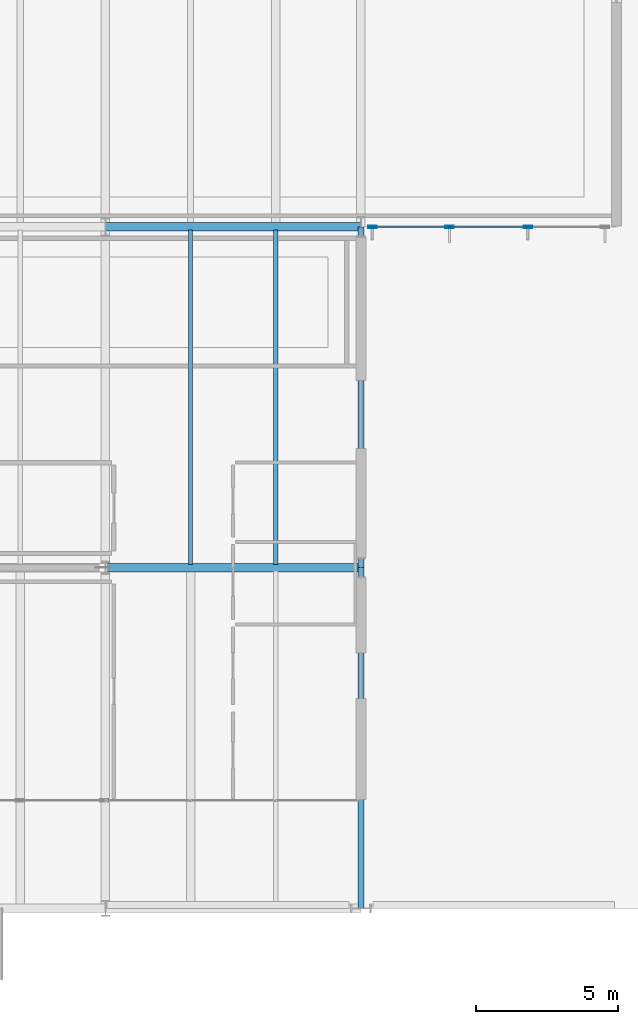
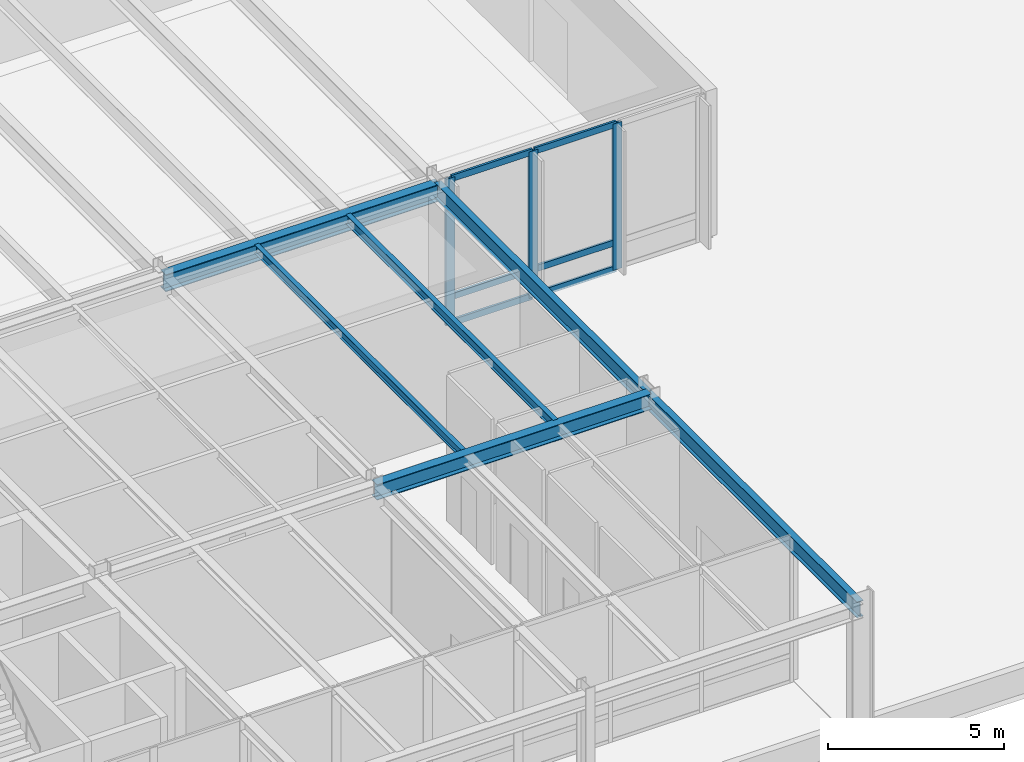
# One storey, part 94 of 143: 9 members, 6 beams, 1 element without a shape of its own.
"""IFC4 building model written with IfcOpenShell, lengths in metres."""

import ifcopenshell
import ifcopenshell.guid

model = None  # the IFC model being written
_history = None  # IfcOwnerHistory: only IFC2X3 demands one
_inside = {}  # id of a spatial element -> (the spatial element, [elements in it])
_under = {}  # id of a project, library or spatial element -> (it, [spatial elements below it])
_declared = {}  # id of a project -> (the project, [libraries it declares])
_typed = {}  # id of a type object -> (the type object, [elements of that type])
_made_of = {}  # id of a material, layer set ... -> (it, [elements and type objects made of it])


def new_model(schema):
    """Start an empty IFC model of exactly this schema.

    Asked for "IFC4X3", IfcOpenShell would pick the latest addendum, in which some entities
    have other attributes; the version numbers below select the first issue.
    IFC2X3 requires an IfcOwnerHistory on every rooted entity: one is made here for all.
    """
    global model, _history
    if schema == "IFC4X3":
        model = ifcopenshell.file(schema_version=(4, 3, 0, 0))
    else:
        model = ifcopenshell.file(schema=schema)
    _inside.clear()
    _under.clear()
    _declared.clear()
    _typed.clear()
    _made_of.clear()
    _history = None
    if model.schema == "IFC2X3":
        org = make("IfcOrganization", Name="unknown")
        user = make(
            "IfcPersonAndOrganization",
            ThePerson=make("IfcPerson", FamilyName="unknown"),
            TheOrganization=org,
        )
        app = make(
            "IfcApplication",
            ApplicationDeveloper=org,
            Version="unknown",
            ApplicationFullName="unknown",
            ApplicationIdentifier="unknown",
        )
        _history = make(
            "IfcOwnerHistory",
            OwningUser=user,
            OwningApplication=app,
            ChangeAction="ADDED",
            CreationDate=0,
        )
    return model


def make(cls, **values):
    """One entity of the class cls with the attributes given. An attribute that is None is left unset."""
    return model.create_entity(
        cls, **{name: value for name, value in values.items() if value is not None}
    )


def rooted(cls, **values):
    """An entity with a GlobalId (a new one), such as an element, a storey or a relation."""
    return make(cls, GlobalId=ifcopenshell.guid.new(), OwnerHistory=_history, **values)


def si_unit(unit_type, name, prefix=None):
    """IfcSIUnit, for example si_unit("LENGTHUNIT", "METRE", prefix="MILLI")."""
    return make("IfcSIUnit", UnitType=unit_type, Prefix=prefix, Name=name)


def assignment(units):
    """IfcUnitAssignment: the units of a project."""
    return None if units is None else make("IfcUnitAssignment", Units=units)


def point(xyz):
    """IfcCartesianPoint."""
    return None if xyz is None else make("IfcCartesianPoint", Coordinates=xyz)


def direction(xyz):
    """IfcDirection."""
    return None if xyz is None else make("IfcDirection", DirectionRatios=xyz)


def frame(location, z_axis=None, x_axis=None):
    """IfcAxis2Placement3D, a coordinate frame: its origin and axes. An axis left out is left unset."""
    return make(
        "IfcAxis2Placement3D",
        Location=point(location),
        Axis=direction(z_axis),
        RefDirection=direction(x_axis),
    )


def frame_2d(location, x_axis=None):
    """IfcAxis2Placement2D, a coordinate frame in the plane: its origin and x axis."""
    return make(
        "IfcAxis2Placement2D", Location=point(location), RefDirection=direction(x_axis)
    )


def origin():
    """The frame at (0, 0, 0) with its axes left unset."""
    return frame((0.0, 0.0, 0.0))


def origin_2d():
    """The frame at (0, 0) in the plane with its x axis left unset."""
    return frame_2d((0.0, 0.0))


def place(relative_to, where):
    """IfcLocalPlacement: puts the frame where relative to a parent placement (None: the world)."""
    return make(
        "IfcLocalPlacement", PlacementRelTo=relative_to, RelativePlacement=where
    )


def context(
    kind, dimensions, precision=None, world=None, true_north=None, identifier=None
):
    """IfcGeometricRepresentationContext, for example the 3D "Model" context."""
    return make(
        "IfcGeometricRepresentationContext",
        ContextIdentifier=identifier,
        ContextType=kind,
        CoordinateSpaceDimension=dimensions,
        Precision=precision,
        WorldCoordinateSystem=world,
        TrueNorth=true_north,
    )


def subcontext(parent, identifier, kind, view, scale=None):
    """IfcGeometricRepresentationSubContext, for example "Body" below "Model"."""
    return make(
        "IfcGeometricRepresentationSubContext",
        ContextIdentifier=identifier,
        ContextType=kind,
        ParentContext=parent,
        TargetScale=scale,
        TargetView=view,
    )


def project(units=None, contexts=None):
    """IfcProject with its units and contexts."""
    return rooted(
        "IfcProject",
        Name="project",
        RepresentationContexts=contexts,
        UnitsInContext=assignment(units),
    )


def spatial(cls, under=None, at=None, **own):
    """A site, building, storey or space (cls), placed at a placement, below another one or the project."""
    s = rooted(cls, ObjectPlacement=at, **own)
    if under is not None:
        _under.setdefault(under.id(), (under, []))[1].append(s)
    return s


def profile(cls, at=None, kind="AREA", **sizes):
    """A parametric profile (cls). Its sizes go by their IFC names, for example OverallWidth=200.0."""
    return make(cls, ProfileType=kind, Position=at, **sizes)


def hollow_rectangle(**sizes):
    """IfcRectangleHollowProfileDef."""
    return profile("IfcRectangleHollowProfileDef", **sizes)


def i_section(**sizes):
    """IfcIShapeProfileDef."""
    return profile("IfcIShapeProfileDef", **sizes)


def extrude(swept, where, along, depth):
    """IfcExtrudedAreaSolid: the profile swept, set in the frame where, extruded along a direction by depth."""
    return make(
        "IfcExtrudedAreaSolid",
        SweptArea=swept,
        Position=where,
        ExtrudedDirection=direction(along),
        Depth=depth,
    )


def shape(context_of_items, identifier, shape_type, items):
    """IfcShapeRepresentation: the items that make up one representation, for example the "Body"."""
    return make(
        "IfcShapeRepresentation",
        ContextOfItems=context_of_items,
        RepresentationIdentifier=identifier,
        RepresentationType=shape_type,
        Items=items,
    )


def material(Name=None, Category=None):
    """IfcMaterial."""
    return make("IfcMaterial", Name=Name, Category=Category)


def layer(
    of_material, thickness, ventilated=None, Name=None, Category=None, Priority=None
):
    """IfcMaterialLayer: one layer of a wall or slab, of a material (None: an air gap)."""
    return make(
        "IfcMaterialLayer",
        Material=of_material,
        LayerThickness=thickness,
        IsVentilated=ventilated,
        Name=Name,
        Category=Category,
        Priority=Priority,
    )


def layer_set(layers, Name=None):
    """IfcMaterialLayerSet."""
    return make("IfcMaterialLayerSet", MaterialLayers=layers, LayerSetName=Name)


def material_profile(
    of_material, cross_section, Name=None, Category=None, Priority=None
):
    """IfcMaterialProfile: a cross section and its material."""
    return make(
        "IfcMaterialProfile",
        Name=Name,
        Material=of_material,
        Profile=cross_section,
        Priority=Priority,
        Category=Category,
    )


def profile_set(profiles, Name=None, composite=None):
    """IfcMaterialProfileSet."""
    return make(
        "IfcMaterialProfileSet",
        Name=Name,
        MaterialProfiles=profiles,
        CompositeProfile=composite,
    )


def made_of(thing, what):
    """Note that an element or type object is made of a material, layer set ...; save() writes the relation."""
    if what is not None:
        _made_of.setdefault(what.id(), (what, []))[1].append(thing)
    return thing


def type_object(cls, material=None, **own):
    """A type object (cls), such as IfcWallType, which elements share."""
    return made_of(rooted(cls, **own), material)


def element(
    cls,
    number,
    at=None,
    inside=None,
    cuts=None,
    type_object=None,
    material=None,
    context=None,
    identifier="Body",
    shape_type=None,
    held_by="IfcProductDefinitionShape",
    body=None,
    shapes=None,
    **own,
):
    """One element of the class cls, such as IfcWall. Its Tag is "e" and its number.

    at: its placement. inside: the storey or other place that contains it. cuts: it is an
    opening in that element (IfcRelVoidsElement). A single representation is given by context,
    identifier, shape_type and body (its items); several are given by shapes. held_by: the class
    of the entity that holds the representations. save() writes the other relations.
    """
    e = rooted(cls, Tag="e%d" % number, ObjectPlacement=at, **own)
    if body is not None:
        shapes = [shape(context, identifier, shape_type, body)]
    if shapes is not None:
        e.Representation = make(held_by, Representations=shapes)
    if inside is not None:
        _inside.setdefault(inside.id(), (inside, []))[1].append(e)
    if cuts is not None:
        rooted(
            "IfcRelVoidsElement", RelatingBuildingElement=cuts, RelatedOpeningElement=e
        )
    if type_object is not None:
        _typed.setdefault(type_object.id(), (type_object, []))[1].append(e)
    return made_of(e, material)


def aggregate(whole, parts):
    """IfcRelAggregates: a whole, such as a stair, and the parts it consists of."""
    return rooted("IfcRelAggregates", RelatingObject=whole, RelatedObjects=parts)


def save(model, path):
    """Write the relations noted so far, then the file.

    IfcRelAggregates (storeys below a building ...), IfcRelContainedInSpatialStructure (elements
    in a storey), IfcRelDefinesByType, IfcRelAssociatesMaterial and IfcRelDeclares: one each for
    every whole, place, type object, material and project.
    """
    for whole, parts in _under.values():
        aggregate(whole, parts)
    for where, things in _inside.values():
        rooted(
            "IfcRelContainedInSpatialStructure",
            RelatedElements=things,
            RelatingStructure=where,
        )
    for kind, things in _typed.values():
        rooted("IfcRelDefinesByType", RelatedObjects=things, RelatingType=kind)
    for what, things in _made_of.values():
        rooted("IfcRelAssociatesMaterial", RelatedObjects=things, RelatingMaterial=what)
    for by, libraries in _declared.values():
        rooted("IfcRelDeclares", RelatingContext=by, RelatedDefinitions=libraries)
    model.write(path)


model = new_model("IFC4")

# Units and contexts
model_context = context("Model", 3, precision=1e-05, world=origin(), true_north=direction((0.0, 1.0)))
body_context = subcontext(model_context, "Body", "Model", "MODEL_VIEW")
ifc_project = project(units=[si_unit("LENGTHUNIT", "METRE"), si_unit("AREAUNIT", "SQUARE_METRE"), si_unit("VOLUMEUNIT", "CUBIC_METRE"), si_unit("PLANEANGLEUNIT", "RADIAN"), si_unit("MASSUNIT", "GRAM", prefix="KILO")], contexts=[model_context])

# Site, building, storey
site_placement = place(None, origin())
site = spatial("IfcSite", under=ifc_project, at=site_placement, CompositionType="ELEMENT")
building_placement = place(site_placement, origin())
building = spatial("IfcBuilding", under=site, at=building_placement, Name="Montelvaro Courts of Justice", CompositionType="ELEMENT")
storey_placement = place(building_placement, origin())
storey = spatial("IfcBuildingStorey", under=building, at=storey_placement, Name="L00", CompositionType="ELEMENT", Elevation=0.0)

# Beams
ifc_material_1 = material(Name="Steel S355", Category="steel")
ifc_material_profile_1 = material_profile(ifc_material_1, i_section(OverallWidth=0.300048828125, OverallDepth=0.5400390625, WebThickness=0.012451171875, FlangeThickness=0.02392578125, at=origin_2d()), Name="HEA 550")
ifc_profile_set_1 = profile_set([ifc_material_profile_1], Name="Steel S355")
beam_type_1 = type_object("IfcBeamType", Name="Beam_HEA550", PredefinedType="USERDEFINED", material=ifc_profile_set_1)
beam_1_placement = place(storey_placement, frame((126.0, 12.0, 4.81005859375), z_axis=(1.0, 0.0, 0.0), x_axis=(0.0, 1.0, 0.0)))
element("IfcBeam", 1, at=beam_1_placement, inside=storey, type_object=beam_type_1, Name="Beam B-20 L00", ObjectType="GIRDER", PredefinedType="USERDEFINED", context=body_context, shape_type="SweptSolid", body=[
    extrude(i_section(OverallWidth=0.300048828125, OverallDepth=0.5400390625, WebThickness=0.012451171875, FlangeThickness=0.02392578125, at=origin_2d()), origin(), (0.0, 0.0, 1.0), 9.0),
])
ifc_material_profile_2 = material_profile(ifc_material_1, i_section(OverallWidth=0.300048828125, OverallDepth=0.590087890625, WebThickness=0.012939453125, FlangeThickness=0.02490234375, at=origin_2d()), Name="HEA 600")
ifc_profile_set_2 = profile_set([ifc_material_profile_2], Name="Steel S355")
beam_type_2 = type_object("IfcBeamType", Name="Beam_HEA600", PredefinedType="USERDEFINED", material=ifc_profile_set_2)
beam_2_placement = place(storey_placement, frame((126.0, 24.0, 4.784912109375), z_axis=(1.0, 0.0, 0.0), x_axis=(0.0, 1.0, 0.0)))
element("IfcBeam", 2, at=beam_2_placement, inside=storey, type_object=beam_type_2, Name="Beam B-21 L00", ObjectType="GIRDER", PredefinedType="USERDEFINED", context=body_context, shape_type="SweptSolid", body=[
    extrude(i_section(OverallWidth=0.300048828125, OverallDepth=0.590087890625, WebThickness=0.012939453125, FlangeThickness=0.02490234375, at=origin_2d()), origin(), (0.0, 0.0, 1.0), 9.0),
])
ifc_material_profile_3 = material_profile(ifc_material_1, i_section(OverallWidth=0.14990234375, OverallDepth=0.300048828125, WebThickness=0.007080078125, FlangeThickness=0.0107421875, at=origin_2d()), Name="IPE 300")
ifc_profile_set_3 = profile_set([ifc_material_profile_3], Name="Steel S355")
beam_type_3 = type_object("IfcBeamType", Name="Beam_IPE300", PredefinedType="BEAM", material=ifc_profile_set_3)
beam_3_placement = place(storey_placement, frame((129.0, 12.110107421875, 4.929931640625), z_axis=(0.0, 1.0, 0.0), x_axis=(-1.0, 0.0, 0.0)))
element("IfcBeam", 3, at=beam_3_placement, inside=storey, type_object=beam_type_3, Name="Beam B-05 L00", PredefinedType="BEAM", context=body_context, shape_type="SweptSolid", body=[
    extrude(i_section(OverallWidth=0.14990234375, OverallDepth=0.300048828125, WebThickness=0.007080078125, FlangeThickness=0.0107421875, at=origin_2d()), origin(), (0.0, 0.0, 1.0), 11.77978515625),
])
ifc_material_profile_4 = material_profile(ifc_material_1, i_section(OverallWidth=0.159912109375, OverallDepth=0.330078125, WebThickness=0.007568359375, FlangeThickness=0.011474609375, at=origin_2d()), Name="IPE 330")
ifc_profile_set_4 = profile_set([ifc_material_profile_4], Name="Steel S355")
beam_type_4 = type_object("IfcBeamType", Name="Beam_IPE330", PredefinedType="BEAM", material=ifc_profile_set_4)
beam_4_placement = place(storey_placement, frame((132.0, 12.110107421875, 4.9150390625), z_axis=(0.0, 1.0, 0.0), x_axis=(-1.0, 0.0, 0.0)))
element("IfcBeam", 4, at=beam_4_placement, inside=storey, type_object=beam_type_4, Name="Beam B-06 L00", PredefinedType="BEAM", context=body_context, shape_type="SweptSolid", body=[
    extrude(i_section(OverallWidth=0.159912109375, OverallDepth=0.330078125, WebThickness=0.007568359375, FlangeThickness=0.011474609375, at=origin_2d()), origin(), (0.0, 0.0, 1.0), 11.77978515625),
])
ifc_material_profile_5 = material_profile(ifc_material_1, i_section(OverallWidth=0.2099609375, OverallDepth=0.550048828125, WebThickness=0.010986328125, FlangeThickness=0.01708984375, at=origin_2d()), Name="IPE 550")
ifc_profile_set_5 = profile_set([ifc_material_profile_5], Name="Steel S355")
beam_type_5 = type_object("IfcBeamType", Name="Beam_IPE550", PredefinedType="BEAM", material=ifc_profile_set_5)
for number, where, z_axis, x_axis, name in (
    (5, (135.0, 0.0, 4.804931640625), (0.0, 1.0, 0.0), (-1.0, 0.0, 0.0), "Beam B-11 L00"),
    (6, (135.0, 12.0, 4.804931640625), (0.0, 1.0, 0.0), (-1.0, 0.0, 0.0), "Beam B-11 L00"),
):
    element("IfcBeam", number, at=place(storey_placement, frame(where, z_axis=z_axis, x_axis=x_axis)), inside=storey, type_object=beam_type_5, Name=name, PredefinedType="BEAM", context=body_context, shape_type="SweptSolid", body=[
        extrude(i_section(OverallWidth=0.2099609375, OverallDepth=0.550048828125, WebThickness=0.010986328125, FlangeThickness=0.01708984375, at=origin_2d()), origin(), (0.0, 0.0, 1.0), 12.0),
    ])

# Curtain wall, members
ifc_material_2 = material(Name="Anodised aluminium EN AW-6063", Category="aluminium")
ifc_layer = layer(ifc_material_2, 0.159912109375)
ifc_layer_set = layer_set([ifc_layer], Name="Anodised aluminium EN AW-6063")
curtain_wall_type = type_object("IfcCurtainWallType", Name="CurtainWall_01_827x508", PredefinedType="USERDEFINED", material=ifc_layer_set)
curtain_wall_placement = place(storey_placement, origin())
curtain_wall = element("IfcCurtainWall", 7, at=curtain_wall_placement, inside=storey, type_object=curtain_wall_type, Name="Curtain Wall CW-01 (L00)", ObjectType="CURTAIN WALL", PredefinedType="USERDEFINED")
ifc_material_profile_6 = material_profile(ifc_material_2, hollow_rectangle(XDim=0.074951171875, YDim=0.300048828125, WallThickness=0.006103515625, at=origin_2d()), Name="ALU-M 75x300")
ifc_profile_set_6 = profile_set([ifc_material_profile_6], Name="Anodised aluminium EN AW-6063")
member_type_1 = type_object("IfcMemberType", Name="CurtainWall_Mullion_75x300", PredefinedType="MULLION", material=ifc_profile_set_6)
member_1_placement = place(storey_placement, frame((135.402587890625, 24.0, 0.0), z_axis=(0.0, 0.0, 1.0), x_axis=(0.0, 1.0, 0.0)))
member_1 = element("IfcMember", 8, at=member_1_placement, type_object=member_type_1, Name="CW-01 mullion 1", PredefinedType="MULLION", context=body_context, shape_type="SweptSolid", body=[
    extrude(hollow_rectangle(XDim=0.074951171875, YDim=0.300048828125, WallThickness=0.006103515625, at=origin_2d()), origin(), (0.0, 0.0, 1.0), 5.080078125),
])
member_2_placement = place(storey_placement, frame((138.12158203125, 24.0, 0.0), z_axis=(0.0, 0.0, 1.0), x_axis=(0.0, 1.0, 0.0)))
member_2 = element("IfcMember", 9, at=member_2_placement, type_object=member_type_1, Name="CW-01 mullion 2", PredefinedType="MULLION", context=body_context, shape_type="SweptSolid", body=[
    extrude(hollow_rectangle(XDim=0.074951171875, YDim=0.300048828125, WallThickness=0.006103515625, at=origin_2d()), origin(), (0.0, 0.0, 1.0), 5.080078125),
])
member_3_placement = place(storey_placement, frame((140.87841796875, 24.0, 0.0), z_axis=(0.0, 0.0, 1.0), x_axis=(0.0, 1.0, 0.0)))
member_3 = element("IfcMember", 10, at=member_3_placement, type_object=member_type_1, Name="CW-01 mullion 3", PredefinedType="MULLION", context=body_context, shape_type="SweptSolid", body=[
    extrude(hollow_rectangle(XDim=0.074951171875, YDim=0.300048828125, WallThickness=0.006103515625, at=origin_2d()), origin(), (0.0, 0.0, 1.0), 5.080078125),
])
ifc_material_profile_7 = material_profile(ifc_material_2, hollow_rectangle(XDim=0.074951171875, YDim=0.219970703125, WallThickness=0.005615234375, at=origin_2d()), Name="ALU-T 75x220")
ifc_profile_set_7 = profile_set([ifc_material_profile_7], Name="Anodised aluminium EN AW-6063")
member_type_2 = type_object("IfcMemberType", Name="CurtainWall_Transom_75x220", PredefinedType="USERDEFINED", material=ifc_profile_set_7)
member_4_placement = place(storey_placement, frame((135.43994140625, 24.0, 0.03759765625), z_axis=(1.0, 0.0, 0.0), x_axis=(0.0, 1.0, 0.0)))
member_4 = element("IfcMember", 11, at=member_4_placement, type_object=member_type_2, Name="CW-01 transom 1.1", ObjectType="TRANSOM", PredefinedType="USERDEFINED", context=body_context, shape_type="SweptSolid", body=[
    extrude(hollow_rectangle(XDim=0.074951171875, YDim=0.219970703125, WallThickness=0.005615234375, at=origin_2d()), origin(), (0.0, 0.0, 1.0), 2.644287109375),
])
member_5_placement = place(storey_placement, frame((135.43994140625, 24.0, 0.949951171875), z_axis=(1.0, 0.0, 0.0), x_axis=(0.0, 1.0, 0.0)))
member_5 = element("IfcMember", 12, at=member_5_placement, type_object=member_type_2, Name="CW-01 transom 1.2", ObjectType="TRANSOM", PredefinedType="USERDEFINED", context=body_context, shape_type="SweptSolid", body=[
    extrude(hollow_rectangle(XDim=0.074951171875, YDim=0.219970703125, WallThickness=0.005615234375, at=origin_2d()), origin(), (0.0, 0.0, 1.0), 2.644287109375),
])
member_6_placement = place(storey_placement, frame((135.43994140625, 24.0, 5.04248046875), z_axis=(1.0, 0.0, 0.0), x_axis=(0.0, 1.0, 0.0)))
member_6 = element("IfcMember", 13, at=member_6_placement, type_object=member_type_2, Name="CW-01 transom 1.3", ObjectType="TRANSOM", PredefinedType="USERDEFINED", context=body_context, shape_type="SweptSolid", body=[
    extrude(hollow_rectangle(XDim=0.074951171875, YDim=0.219970703125, WallThickness=0.005615234375, at=origin_2d()), origin(), (0.0, 0.0, 1.0), 2.644287109375),
])
member_7_placement = place(storey_placement, frame((138.1591796875, 24.0, 0.03759765625), z_axis=(1.0, 0.0, 0.0), x_axis=(0.0, 1.0, 0.0)))
member_7 = element("IfcMember", 14, at=member_7_placement, type_object=member_type_2, Name="CW-01 transom 2.1", ObjectType="TRANSOM", PredefinedType="USERDEFINED", context=body_context, shape_type="SweptSolid", body=[
    extrude(hollow_rectangle(XDim=0.074951171875, YDim=0.219970703125, WallThickness=0.005615234375, at=origin_2d()), origin(), (0.0, 0.0, 1.0), 2.681640625),
])
member_8_placement = place(storey_placement, frame((138.1591796875, 24.0, 0.949951171875), z_axis=(1.0, 0.0, 0.0), x_axis=(0.0, 1.0, 0.0)))
member_8 = element("IfcMember", 15, at=member_8_placement, type_object=member_type_2, Name="CW-01 transom 2.2", ObjectType="TRANSOM", PredefinedType="USERDEFINED", context=body_context, shape_type="SweptSolid", body=[
    extrude(hollow_rectangle(XDim=0.074951171875, YDim=0.219970703125, WallThickness=0.005615234375, at=origin_2d()), origin(), (0.0, 0.0, 1.0), 2.681640625),
])
member_9_placement = place(storey_placement, frame((138.1591796875, 24.0, 5.04248046875), z_axis=(1.0, 0.0, 0.0), x_axis=(0.0, 1.0, 0.0)))
member_9 = element("IfcMember", 16, at=member_9_placement, type_object=member_type_2, Name="CW-01 transom 2.3", ObjectType="TRANSOM", PredefinedType="USERDEFINED", context=body_context, shape_type="SweptSolid", body=[
    extrude(hollow_rectangle(XDim=0.074951171875, YDim=0.219970703125, WallThickness=0.005615234375, at=origin_2d()), origin(), (0.0, 0.0, 1.0), 2.681640625),
])
aggregate(curtain_wall, [member_1, member_2, member_3, member_4, member_5, member_6, member_7, member_8, member_9])

save(model, "model.ifc")
